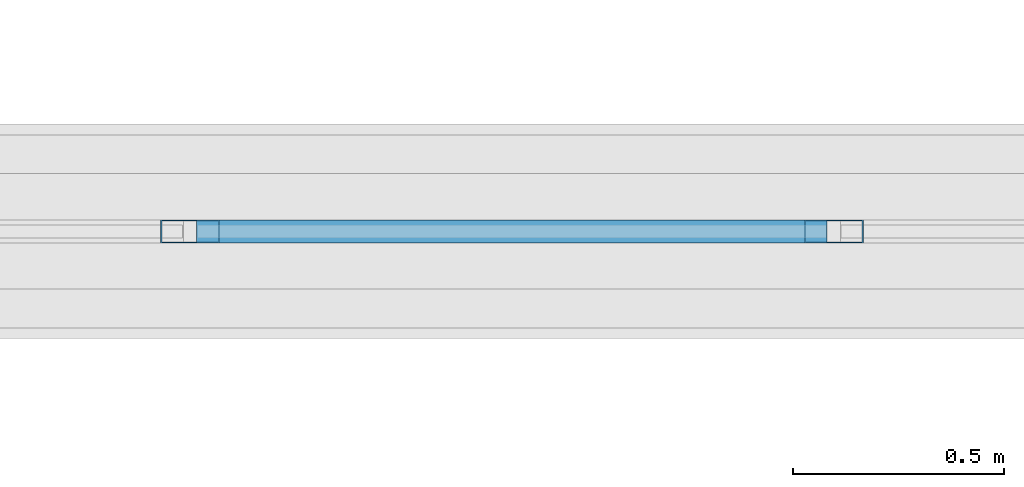
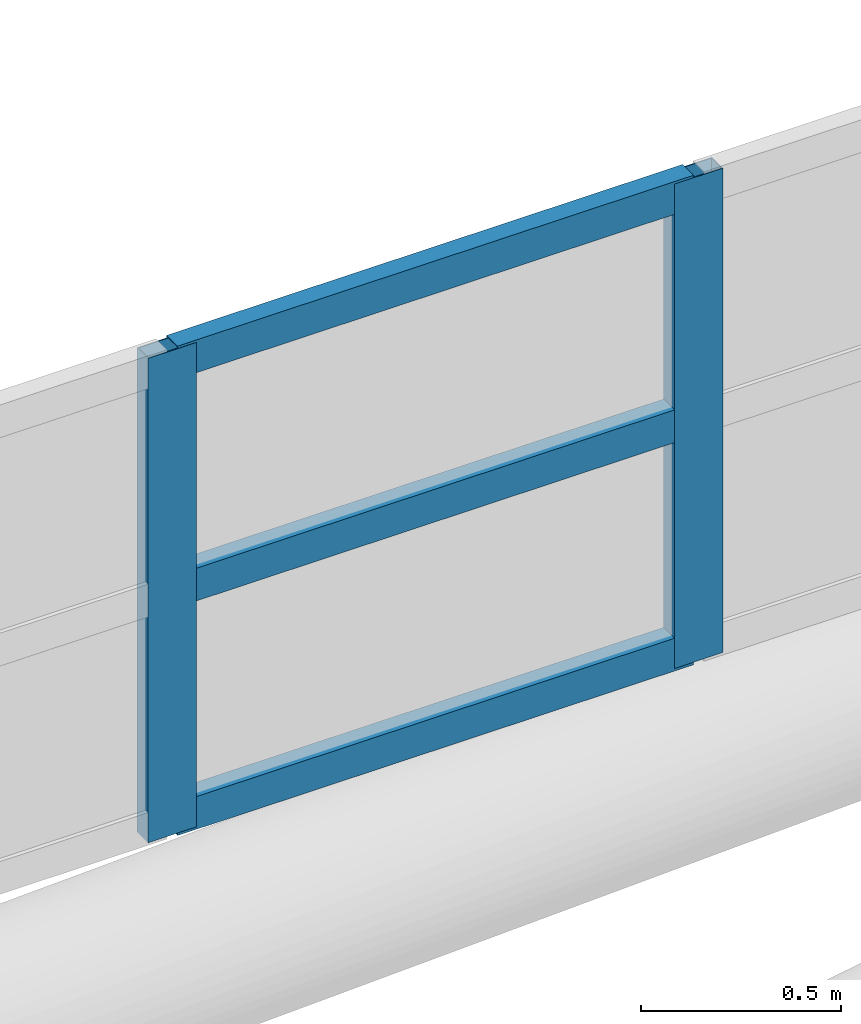
# One storey, part 43 of 397: 5 members, 1 element without a shape of its own.
"""IFC4 building model written with IfcOpenShell, lengths in metres."""

from ifc_helpers import new_model, si_unit, direction, frame, origin, origin_2d, place, context, subcontext, project, spatial, hollow_rectangle, extrude, material, material_profile, profile_set, type_object, element, aggregate, save


model = new_model("IFC4")

# Units and contexts
model_context = context("Model", 3, precision=1e-05, world=origin(), true_north=direction((0.0, 1.0)))
body_context = subcontext(model_context, "Body", "Model", "MODEL_VIEW")
ifc_project = project(units=[si_unit("LENGTHUNIT", "METRE"), si_unit("AREAUNIT", "SQUARE_METRE"), si_unit("VOLUMEUNIT", "CUBIC_METRE"), si_unit("PLANEANGLEUNIT", "RADIAN"), si_unit("MASSUNIT", "GRAM", prefix="KILO")], contexts=[model_context])

# Site, building, storey
site_placement = place(None, origin())
site = spatial("IfcSite", under=ifc_project, at=site_placement, CompositionType="ELEMENT")
building_placement = place(site_placement, origin())
building = spatial("IfcBuilding", under=site, at=building_placement, Name="Qandorah Velis Arena", CompositionType="ELEMENT")
storey_placement = place(building_placement, frame((0.0, 0.0, 27.5)))
storey = spatial("IfcBuildingStorey", under=building, at=storey_placement, Name="RF", CompositionType="ELEMENT", Elevation=27.5)

# Curtain wall, members
ifc_material_1 = material(Name="Solar-control low-E double glazing", Category="glass")
curtain_wall_type = type_object("IfcCurtainWallType", Name="ARC-CW-SYS17", PredefinedType="USERDEFINED", material=ifc_material_1)
curtain_wall_placement = place(storey_placement, origin())
curtain_wall = element("IfcCurtainWall", 1, at=curtain_wall_placement, inside=storey, type_object=curtain_wall_type, Name="Unitised curtain wall OCULUS-3-2", ObjectType="UNITISED CURTAIN WALL", PredefinedType="USERDEFINED")
ifc_material_2 = material(Name="Champagne-bronze anodized aluminium 6063-T6", Category="aluminium")
ifc_material_profile_1 = material_profile(ifc_material_2, hollow_rectangle(XDim=0.054931640625, YDim=0.139892578125, WallThickness=0.0029296875, at=origin_2d()), Name="ALU MULLION 55x140")
ifc_profile_set_1 = profile_set([ifc_material_profile_1], Name="Champagne-bronze anodized aluminium 6063-T6")
member_type_1 = type_object("IfcMemberType", Name="ARC-CWM-140", PredefinedType="MULLION", material=ifc_profile_set_1)
member_1_placement = place(storey_placement, frame((48.11669921875, 28.800048828125, 9.5341796875), z_axis=(0.0, 0.0, 1.0), x_axis=(0.0, 1.0, 0.0)))
member_1 = element("IfcMember", 2, at=member_1_placement, type_object=member_type_1, Name="CW17 mullion 4", PredefinedType="MULLION", context=body_context, shape_type="SweptSolid", body=[
    extrude(hollow_rectangle(XDim=0.054931640625, YDim=0.139892578125, WallThickness=0.0029296875, at=origin_2d()), origin(), (0.0, 0.0, 1.0), 1.480712890625),
])
member_2_placement = place(storey_placement, frame((49.638916015625, 28.800048828125, 9.5341796875), z_axis=(0.0, 0.0, 1.0), x_axis=(0.0, 1.0, 0.0)))
member_2 = element("IfcMember", 3, at=member_2_placement, type_object=member_type_1, Name="CW17 mullion 5", PredefinedType="MULLION", context=body_context, shape_type="SweptSolid", body=[
    extrude(hollow_rectangle(XDim=0.054931640625, YDim=0.139892578125, WallThickness=0.0029296875, at=origin_2d()), origin(), (0.0, 0.0, 1.0), 1.480712890625),
])
ifc_material_profile_2 = material_profile(ifc_material_2, hollow_rectangle(XDim=0.054931640625, YDim=0.10009765625, WallThickness=0.0029296875, at=origin_2d()), Name="ALU TRANSOM 55x100")
ifc_profile_set_2 = profile_set([ifc_material_profile_2], Name="Champagne-bronze anodized aluminium 6063-T6")
member_type_2 = type_object("IfcMemberType", Name="ARC-CWT-100", PredefinedType="USERDEFINED", material=ifc_profile_set_2)
member_3_placement = place(storey_placement, frame((48.132080078125, 28.800048828125, 9.57666015625), z_axis=(1.0, 0.0, 0.0), x_axis=(0.0, 1.0, 0.0)))
member_3 = element("IfcMember", 4, at=member_3_placement, type_object=member_type_2, Name="CW17 transom 4.1", ObjectType="TRANSOM", PredefinedType="USERDEFINED", context=body_context, shape_type="SweptSolid", body=[
    extrude(hollow_rectangle(XDim=0.054931640625, YDim=0.10009765625, WallThickness=0.0029296875, at=origin_2d()), origin(), (0.0, 0.0, 1.0), 1.4912109375),
])
member_4_placement = place(storey_placement, frame((48.132080078125, 28.800048828125, 10.274658203125), z_axis=(1.0, 0.0, 0.0), x_axis=(0.0, 1.0, 0.0)))
member_4 = element("IfcMember", 5, at=member_4_placement, type_object=member_type_2, Name="CW17 transom 4.2", ObjectType="TRANSOM", PredefinedType="USERDEFINED", context=body_context, shape_type="SweptSolid", body=[
    extrude(hollow_rectangle(XDim=0.054931640625, YDim=0.10009765625, WallThickness=0.0029296875, at=origin_2d()), origin(), (0.0, 0.0, 1.0), 1.4912109375),
])
member_5_placement = place(storey_placement, frame((48.132080078125, 28.800048828125, 10.972412109375), z_axis=(1.0, 0.0, 0.0), x_axis=(0.0, 1.0, 0.0)))
member_5 = element("IfcMember", 6, at=member_5_placement, type_object=member_type_2, Name="CW17 transom 4.3", ObjectType="TRANSOM", PredefinedType="USERDEFINED", context=body_context, shape_type="SweptSolid", body=[
    extrude(hollow_rectangle(XDim=0.054931640625, YDim=0.10009765625, WallThickness=0.0029296875, at=origin_2d()), origin(), (0.0, 0.0, 1.0), 1.4912109375),
])
aggregate(curtain_wall, [member_1, member_2, member_3, member_4, member_5])

save(model, "model.ifc")
